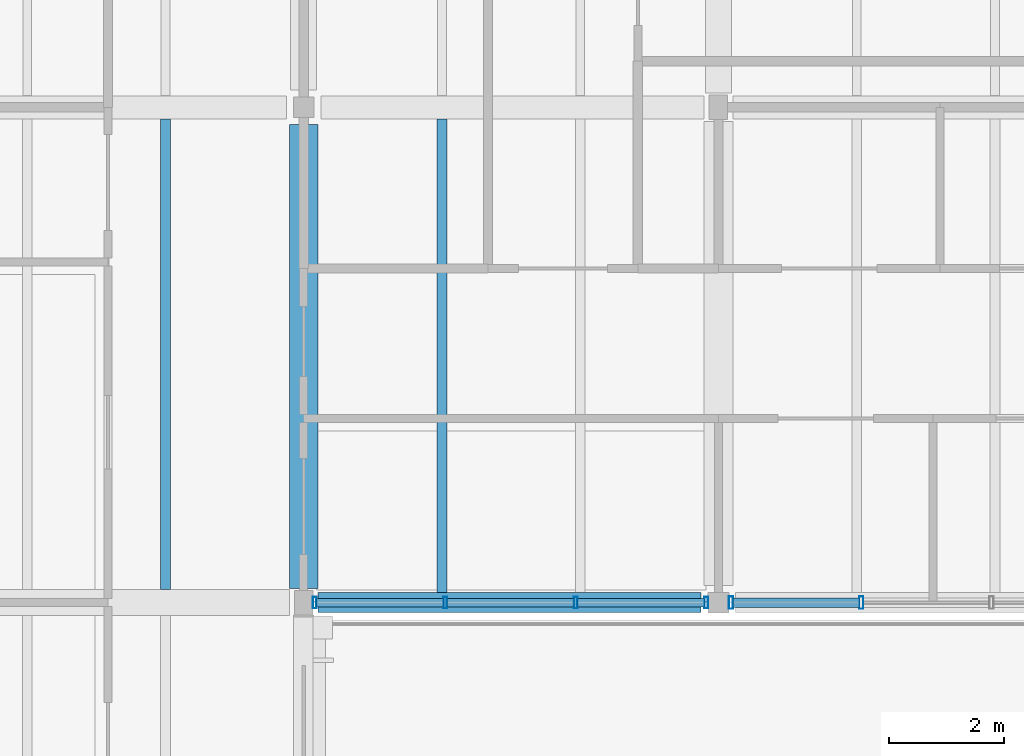
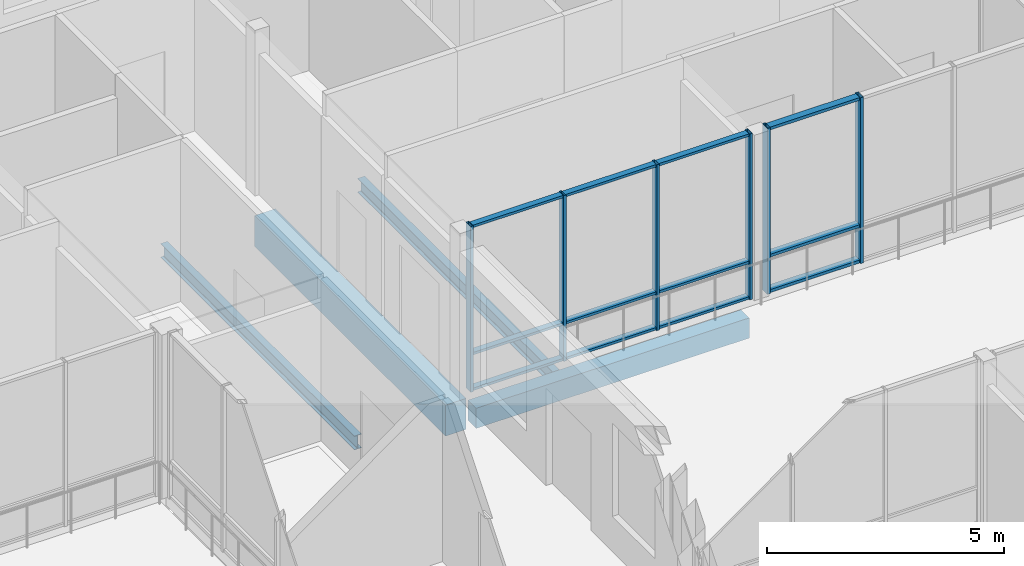
# One storey, part 91 of 146: 18 members, 4 beams, 2 elements without a shape of their own.
"""IFC4 building model written with IfcOpenShell, lengths in metres."""

from ifc_helpers import new_model, si_unit, direction, frame, origin, origin_2d, place, context, subcontext, project, spatial, rectangle, hollow_rectangle, i_section, extrude, material, material_profile, profile_set, type_object, element, aggregate, save


model = new_model("IFC4")

# Units and contexts
model_context = context("Model", 3, precision=1e-05, world=origin(), true_north=direction((0.0, 1.0)))
body_context = subcontext(model_context, "Body", "Model", "MODEL_VIEW")
ifc_project = project(units=[si_unit("LENGTHUNIT", "METRE"), si_unit("AREAUNIT", "SQUARE_METRE"), si_unit("VOLUMEUNIT", "CUBIC_METRE"), si_unit("PLANEANGLEUNIT", "RADIAN"), si_unit("MASSUNIT", "GRAM", prefix="KILO")], contexts=[model_context])

# Site, building, storey
site_placement = place(None, origin())
site = spatial("IfcSite", under=ifc_project, at=site_placement, CompositionType="ELEMENT")
building_placement = place(site_placement, origin())
building = spatial("IfcBuilding", under=site, at=building_placement, Name="Hawrajan Terrace Health Centre", CompositionType="ELEMENT")
storey_placement = place(building_placement, frame((0.0, 0.0, 4.5)))
storey = spatial("IfcBuildingStorey", under=building, at=storey_placement, Name="L01", CompositionType="ELEMENT", Elevation=4.5)

# Curtain wall, members
ifc_material_1 = material(Name="Anodized bronze aluminium and low-E solar glazing", Category="aluminium")
curtain_wall_type_1 = type_object("IfcCurtainWallType", Name="CW_Pavilion_SeriesE2", PredefinedType="USERDEFINED", material=ifc_material_1)
curtain_wall_1_placement = place(storey_placement, origin())
curtain_wall_1 = element("IfcCurtainWall", 1, at=curtain_wall_1_placement, inside=storey, type_object=curtain_wall_type_1, Name="Curtain wall CW-L01-109", ObjectType="UNITISED CURTAIN WALL", PredefinedType="USERDEFINED")
ifc_material_2 = material(Name="Anodized bronze aluminium 6063-T6", Category="aluminium")
ifc_material_profile_1 = material_profile(ifc_material_2, hollow_rectangle(XDim=0.06494140625, YDim=0.199951171875, WallThickness=0.00439453125, at=origin_2d()), Name="CW MUL 65x200")
ifc_profile_set_1 = profile_set([ifc_material_profile_1], Name="Anodized bronze aluminium 6063-T6")
member_type_1 = type_object("IfcMemberType", Name="CWMullion_65x200", PredefinedType="MULLION", material=ifc_profile_set_1)
member_1_placement = place(storey_placement, frame((151.1923828125, 36.800048828125, -0.0048828125), z_axis=(0.0, 0.0, 1.0), x_axis=(1.0, 0.0, 0.0)))
member_1 = element("IfcMember", 2, at=member_1_placement, type_object=member_type_1, Name="Mullion CW-L01-109-M1", PredefinedType="MULLION", context=body_context, shape_type="SweptSolid", body=[
    extrude(hollow_rectangle(XDim=0.06494140625, YDim=0.199951171875, WallThickness=0.00439453125, at=origin_2d()), origin(), (0.0, 0.0, 1.0), 4.269775390625),
])
member_2_placement = place(storey_placement, frame((153.45751953125, 36.800048828125, -0.0048828125), z_axis=(0.0, 0.0, 1.0), x_axis=(1.0, 0.0, 0.0)))
member_2 = element("IfcMember", 3, at=member_2_placement, type_object=member_type_1, Name="Mullion CW-L01-109-M2", PredefinedType="MULLION", context=body_context, shape_type="SweptSolid", body=[
    extrude(hollow_rectangle(XDim=0.06494140625, YDim=0.199951171875, WallThickness=0.00439453125, at=origin_2d()), origin(), (0.0, 0.0, 1.0), 4.269775390625),
])
member_3_placement = place(storey_placement, frame((155.722412109375, 36.800048828125, -0.0048828125), z_axis=(0.0, 0.0, 1.0), x_axis=(1.0, 0.0, 0.0)))
member_3 = element("IfcMember", 4, at=member_3_placement, type_object=member_type_1, Name="Mullion CW-L01-109-M3", PredefinedType="MULLION", context=body_context, shape_type="SweptSolid", body=[
    extrude(hollow_rectangle(XDim=0.06494140625, YDim=0.199951171875, WallThickness=0.00439453125, at=origin_2d()), origin(), (0.0, 0.0, 1.0), 4.269775390625),
])
member_4_placement = place(storey_placement, frame((157.987548828125, 36.800048828125, -0.0048828125), z_axis=(0.0, 0.0, 1.0), x_axis=(1.0, 0.0, 0.0)))
member_4 = element("IfcMember", 5, at=member_4_placement, type_object=member_type_1, Name="Mullion CW-L01-109-M4", PredefinedType="MULLION", context=body_context, shape_type="SweptSolid", body=[
    extrude(hollow_rectangle(XDim=0.06494140625, YDim=0.199951171875, WallThickness=0.00439453125, at=origin_2d()), origin(), (0.0, 0.0, 1.0), 4.269775390625),
])

curtain_wall_type_2 = type_object("IfcCurtainWallType", Name="CW_Clerestory_SeriesG2", PredefinedType="USERDEFINED", material=ifc_material_1)
curtain_wall_2_placement = place(storey_placement, origin())
curtain_wall_2 = element("IfcCurtainWall", 6, at=curtain_wall_2_placement, inside=storey, type_object=curtain_wall_type_2, Name="Curtain wall CW-L01-113", ObjectType="UNITISED CURTAIN WALL", PredefinedType="USERDEFINED")
ifc_material_profile_2 = material_profile(ifc_material_2, hollow_rectangle(XDim=0.074951171875, YDim=0.219970703125, WallThickness=0.0048828125, at=origin_2d()), Name="CW MUL 75x220")
ifc_profile_set_2 = profile_set([ifc_material_profile_2], Name="Anodized bronze aluminium 6063-T6")
member_type_2 = type_object("IfcMemberType", Name="CWMullion_75x220", PredefinedType="MULLION", material=ifc_profile_set_2)
member_5_placement = place(storey_placement, frame((158.41748046875, 36.800048828125, -0.0048828125), z_axis=(0.0, 0.0, 1.0), x_axis=(1.0, 0.0, 0.0)))
member_5 = element("IfcMember", 7, at=member_5_placement, type_object=member_type_2, Name="Mullion CW-L01-113-M1", PredefinedType="MULLION", context=body_context, shape_type="SweptSolid", body=[
    extrude(hollow_rectangle(XDim=0.074951171875, YDim=0.219970703125, WallThickness=0.0048828125, at=origin_2d()), origin(), (0.0, 0.0, 1.0), 4.269775390625),
])
member_6_placement = place(storey_placement, frame((160.67919921875, 36.800048828125, -0.0048828125), z_axis=(0.0, 0.0, 1.0), x_axis=(1.0, 0.0, 0.0)))
member_6 = element("IfcMember", 8, at=member_6_placement, type_object=member_type_2, Name="Mullion CW-L01-113-M2", PredefinedType="MULLION", context=body_context, shape_type="SweptSolid", body=[
    extrude(hollow_rectangle(XDim=0.074951171875, YDim=0.219970703125, WallThickness=0.0048828125, at=origin_2d()), origin(), (0.0, 0.0, 1.0), 4.269775390625),
])

# Member
ifc_material_profile_3 = material_profile(ifc_material_2, hollow_rectangle(XDim=0.06494140625, YDim=0.14990234375, WallThickness=0.00390625, at=origin_2d()), Name="CW TRN 65x150")
ifc_profile_set_3 = profile_set([ifc_material_profile_3], Name="Anodized bronze aluminium 6063-T6")
member_type_3 = type_object("IfcMemberType", Name="CWTransom_65x150", PredefinedType="USERDEFINED", material=ifc_profile_set_3)
member_7_placement = place(storey_placement, frame((151.218994140625, 36.800048828125, 0.032470703125), z_axis=(1.0, 0.0, 0.0), x_axis=(0.0, 0.0, 1.0)))
member_7 = element("IfcMember", 9, at=member_7_placement, type_object=member_type_3, Name="Transom CW-L01-109-T1-1", ObjectType="TRANSOM", PredefinedType="USERDEFINED", context=body_context, shape_type="SweptSolid", body=[
    extrude(hollow_rectangle(XDim=0.06494140625, YDim=0.14990234375, WallThickness=0.00390625, at=origin_2d()), origin(), (0.0, 0.0, 1.0), 2.2119140625),
])

member_8_placement = place(storey_placement, frame((151.218994140625, 36.800048828125, 0.949951171875), z_axis=(1.0, 0.0, 0.0), x_axis=(0.0, 0.0, 1.0)))
member_8 = element("IfcMember", 10, at=member_8_placement, type_object=member_type_3, Name="Transom CW-L01-109-T1-2", ObjectType="TRANSOM", PredefinedType="USERDEFINED", context=body_context, shape_type="SweptSolid", body=[
    extrude(hollow_rectangle(XDim=0.06494140625, YDim=0.14990234375, WallThickness=0.00390625, at=origin_2d()), origin(), (0.0, 0.0, 1.0), 2.2119140625),
])

member_9_placement = place(storey_placement, frame((151.218994140625, 36.800048828125, 4.2275390625), z_axis=(1.0, 0.0, 0.0), x_axis=(0.0, 0.0, 1.0)))
member_9 = element("IfcMember", 11, at=member_9_placement, type_object=member_type_3, Name="Transom CW-L01-109-T1-3", ObjectType="TRANSOM", PredefinedType="USERDEFINED", context=body_context, shape_type="SweptSolid", body=[
    extrude(hollow_rectangle(XDim=0.06494140625, YDim=0.14990234375, WallThickness=0.00390625, at=origin_2d()), origin(), (0.0, 0.0, 1.0), 2.2119140625),
])

member_10_placement = place(storey_placement, frame((153.48388671875, 36.800048828125, 0.032470703125), z_axis=(1.0, 0.0, 0.0), x_axis=(0.0, 0.0, 1.0)))
member_10 = element("IfcMember", 12, at=member_10_placement, type_object=member_type_3, Name="Transom CW-L01-109-T2-1", ObjectType="TRANSOM", PredefinedType="USERDEFINED", context=body_context, shape_type="SweptSolid", body=[
    extrude(hollow_rectangle(XDim=0.06494140625, YDim=0.14990234375, WallThickness=0.00390625, at=origin_2d()), origin(), (0.0, 0.0, 1.0), 2.212158203125),
])

member_11_placement = place(storey_placement, frame((153.48388671875, 36.800048828125, 0.949951171875), z_axis=(1.0, 0.0, 0.0), x_axis=(0.0, 0.0, 1.0)))
member_11 = element("IfcMember", 13, at=member_11_placement, type_object=member_type_3, Name="Transom CW-L01-109-T2-2", ObjectType="TRANSOM", PredefinedType="USERDEFINED", context=body_context, shape_type="SweptSolid", body=[
    extrude(hollow_rectangle(XDim=0.06494140625, YDim=0.14990234375, WallThickness=0.00390625, at=origin_2d()), origin(), (0.0, 0.0, 1.0), 2.212158203125),
])

member_12_placement = place(storey_placement, frame((153.48388671875, 36.800048828125, 4.2275390625), z_axis=(1.0, 0.0, 0.0), x_axis=(0.0, 0.0, 1.0)))
member_12 = element("IfcMember", 14, at=member_12_placement, type_object=member_type_3, Name="Transom CW-L01-109-T2-3", ObjectType="TRANSOM", PredefinedType="USERDEFINED", context=body_context, shape_type="SweptSolid", body=[
    extrude(hollow_rectangle(XDim=0.06494140625, YDim=0.14990234375, WallThickness=0.00390625, at=origin_2d()), origin(), (0.0, 0.0, 1.0), 2.212158203125),
])

member_13_placement = place(storey_placement, frame((155.7490234375, 36.800048828125, 0.032470703125), z_axis=(1.0, 0.0, 0.0), x_axis=(0.0, 0.0, 1.0)))
member_13 = element("IfcMember", 15, at=member_13_placement, type_object=member_type_3, Name="Transom CW-L01-109-T3-1", ObjectType="TRANSOM", PredefinedType="USERDEFINED", context=body_context, shape_type="SweptSolid", body=[
    extrude(hollow_rectangle(XDim=0.06494140625, YDim=0.14990234375, WallThickness=0.00390625, at=origin_2d()), origin(), (0.0, 0.0, 1.0), 2.2119140625),
])

member_14_placement = place(storey_placement, frame((155.7490234375, 36.800048828125, 0.949951171875), z_axis=(1.0, 0.0, 0.0), x_axis=(0.0, 0.0, 1.0)))
member_14 = element("IfcMember", 16, at=member_14_placement, type_object=member_type_3, Name="Transom CW-L01-109-T3-2", ObjectType="TRANSOM", PredefinedType="USERDEFINED", context=body_context, shape_type="SweptSolid", body=[
    extrude(hollow_rectangle(XDim=0.06494140625, YDim=0.14990234375, WallThickness=0.00390625, at=origin_2d()), origin(), (0.0, 0.0, 1.0), 2.2119140625),
])

member_15_placement = place(storey_placement, frame((155.7490234375, 36.800048828125, 4.2275390625), z_axis=(1.0, 0.0, 0.0), x_axis=(0.0, 0.0, 1.0)))
member_15 = element("IfcMember", 17, at=member_15_placement, type_object=member_type_3, Name="Transom CW-L01-109-T3-3", ObjectType="TRANSOM", PredefinedType="USERDEFINED", context=body_context, shape_type="SweptSolid", body=[
    extrude(hollow_rectangle(XDim=0.06494140625, YDim=0.14990234375, WallThickness=0.00390625, at=origin_2d()), origin(), (0.0, 0.0, 1.0), 2.2119140625),
])

aggregate(curtain_wall_1, [member_1, member_2, member_3, member_4, member_7, member_8, member_9, member_10, member_11, member_12, member_13, member_14, member_15])

ifc_material_profile_4 = material_profile(ifc_material_2, hollow_rectangle(XDim=0.074951171875, YDim=0.169921875, WallThickness=0.00439453125, at=origin_2d()), Name="CW TRN 75x170")
ifc_profile_set_4 = profile_set([ifc_material_profile_4], Name="Anodized bronze aluminium 6063-T6")
member_type_4 = type_object("IfcMemberType", Name="CWTransom_75x170", PredefinedType="USERDEFINED", material=ifc_profile_set_4)
member_16_placement = place(storey_placement, frame((158.448974609375, 36.800048828125, 0.03759765625), z_axis=(1.0, 0.0, 0.0), x_axis=(0.0, 0.0, 1.0)))
member_16 = element("IfcMember", 18, at=member_16_placement, type_object=member_type_4, Name="Transom CW-L01-113-T1-1", ObjectType="TRANSOM", PredefinedType="USERDEFINED", context=body_context, shape_type="SweptSolid", body=[
    extrude(hollow_rectangle(XDim=0.074951171875, YDim=0.169921875, WallThickness=0.00439453125, at=origin_2d()), origin(), (0.0, 0.0, 1.0), 2.19873046875),
])

member_17_placement = place(storey_placement, frame((158.448974609375, 36.800048828125, 0.949951171875), z_axis=(1.0, 0.0, 0.0), x_axis=(0.0, 0.0, 1.0)))
member_17 = element("IfcMember", 19, at=member_17_placement, type_object=member_type_4, Name="Transom CW-L01-113-T1-2", ObjectType="TRANSOM", PredefinedType="USERDEFINED", context=body_context, shape_type="SweptSolid", body=[
    extrude(hollow_rectangle(XDim=0.074951171875, YDim=0.169921875, WallThickness=0.00439453125, at=origin_2d()), origin(), (0.0, 0.0, 1.0), 2.19873046875),
])

member_18_placement = place(storey_placement, frame((158.448974609375, 36.800048828125, 4.222412109375), z_axis=(1.0, 0.0, 0.0), x_axis=(0.0, 0.0, 1.0)))
member_18 = element("IfcMember", 20, at=member_18_placement, type_object=member_type_4, Name="Transom CW-L01-113-T1-3", ObjectType="TRANSOM", PredefinedType="USERDEFINED", context=body_context, shape_type="SweptSolid", body=[
    extrude(hollow_rectangle(XDim=0.074951171875, YDim=0.169921875, WallThickness=0.00439453125, at=origin_2d()), origin(), (0.0, 0.0, 1.0), 2.19873046875),
])

aggregate(curtain_wall_2, [member_5, member_6, member_16, member_17, member_18])

# Beams
ifc_material_3 = material(Name="Concrete C40/50", Category="concrete")
ifc_material_profile_5 = material_profile(ifc_material_3, rectangle(XDim=0.5, YDim=0.800048828125, at=origin_2d()), Name="RC BM 500x800")
ifc_profile_set_5 = profile_set([ifc_material_profile_5], Name="Concrete C40/50")
beam_type_1 = type_object("IfcBeamType", Name="RCGirder_500x800", PredefinedType="BEAM", material=ifc_profile_set_5)
beam_1_placement = place(storey_placement, frame((151.0, 37.050048828125, -0.800048828125), z_axis=(0.0, 1.0, 0.0), x_axis=(-1.0, 0.0, 0.0)))
element("IfcBeam", 21, at=beam_1_placement, inside=storey, type_object=beam_type_1, Name="Beam BM-Y-L01-E-X20-5", PredefinedType="BEAM", context=body_context, shape_type="SweptSolid", body=[
    extrude(rectangle(XDim=0.5, YDim=0.800048828125, at=origin_2d()), origin(), (0.0, 0.0, 1.0), 8.050048828125),
])
ifc_material_profile_6 = material_profile(ifc_material_3, rectangle(XDim=0.35009765625, YDim=0.52001953125, at=origin_2d()), Name="RC SP 350x520")
ifc_profile_set_6 = profile_set([ifc_material_profile_6], Name="Concrete C40/50")
beam_type_2 = type_object("IfcBeamType", Name="RCSpandrel_350x520", PredefinedType="SPANDREL", material=ifc_profile_set_6)
beam_2_placement = place(storey_placement, frame((151.25, 36.800048828125, -0.659912109375), z_axis=(1.0, 0.0, 0.0), x_axis=(0.0, 1.0, 0.0)))
element("IfcBeam", 22, at=beam_2_placement, inside=storey, type_object=beam_type_2, Name="Beam BM-X-L01-E-20-Y5", PredefinedType="SPANDREL", context=body_context, shape_type="SweptSolid", body=[
    extrude(rectangle(XDim=0.35009765625, YDim=0.52001953125, at=origin_2d()), origin(), (0.0, 0.0, 1.0), 6.64990234375),
])
ifc_material_4 = material(Name="Steel S355", Category="steel")
ifc_material_profile_7 = material_profile(ifc_material_4, i_section(OverallWidth=0.169921875, OverallDepth=0.360107421875, WebThickness=0.008056640625, FlangeThickness=0.0126953125, FilletRadius=0.01806640625, at=origin_2d()), Name="IPE 360")
ifc_profile_set_7 = profile_set([ifc_material_profile_7], Name="Steel S355")
beam_type_3 = type_object("IfcBeamType", Name="SteelBeam_IPE360", PredefinedType="BEAM", material=ifc_profile_set_7)
beam_3_placement = place(storey_placement, frame((148.60009765625, 37.02490234375, -0.580078125), z_axis=(0.0, 1.0, 0.0), x_axis=(-1.0, 0.0, 0.0)))
element("IfcBeam", 23, at=beam_3_placement, inside=storey, type_object=beam_type_3, Name="Secondary joist JST-L01-E-19-5-2", PredefinedType="BEAM", context=body_context, shape_type="SweptSolid", body=[
    extrude(i_section(OverallWidth=0.169921875, OverallDepth=0.360107421875, WebThickness=0.008056640625, FlangeThickness=0.0126953125, FilletRadius=0.01806640625, at=origin_2d()), origin(), (0.0, 0.0, 1.0), 8.175048828125),
])
beam_4_placement = place(storey_placement, frame((153.39990234375, 36.97509765625, -0.580078125), z_axis=(0.0, 1.0, 0.0), x_axis=(-1.0, 0.0, 0.0)))
element("IfcBeam", 24, at=beam_4_placement, inside=storey, type_object=beam_type_3, Name="Secondary joist JST-L01-E-20-5-1", PredefinedType="BEAM", context=body_context, shape_type="SweptSolid", body=[
    extrude(i_section(OverallWidth=0.169921875, OverallDepth=0.360107421875, WebThickness=0.008056640625, FlangeThickness=0.0126953125, FilletRadius=0.01806640625, at=origin_2d()), origin(), (0.0, 0.0, 1.0), 8.224853515625),
])

save(model, "model.ifc")
